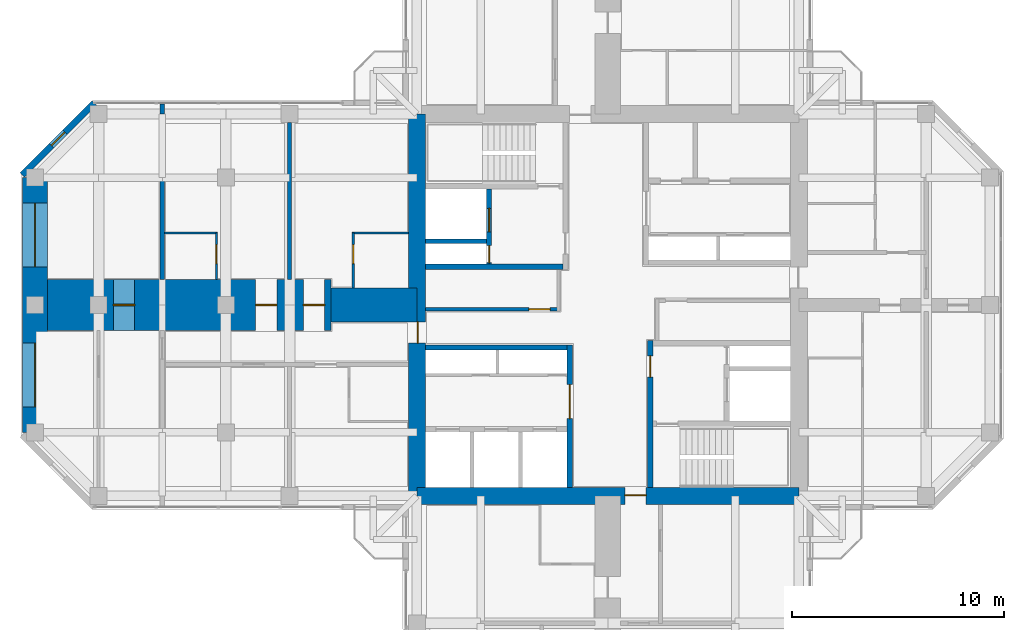
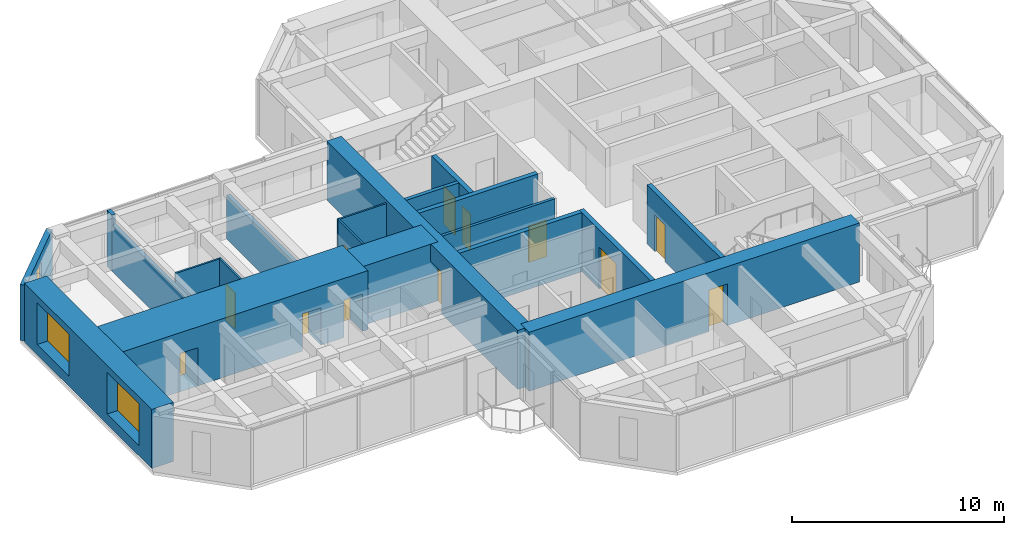
# One storey, part 9 of 13: 20 walls, 12 doors, 3 windows, 15 openings.
"""IFC4 building model written with IfcOpenShell, lengths in metres."""

import ifcopenshell
import ifcopenshell.guid

model = None  # the IFC model being written
_history = None  # IfcOwnerHistory: only IFC2X3 demands one
_inside = {}  # id of a spatial element -> (the spatial element, [elements in it])
_under = {}  # id of a project, library or spatial element -> (it, [spatial elements below it])
_declared = {}  # id of a project -> (the project, [libraries it declares])
_typed = {}  # id of a type object -> (the type object, [elements of that type])
_made_of = {}  # id of a material, layer set ... -> (it, [elements and type objects made of it])


def new_model(schema):
    """Start an empty IFC model of exactly this schema.

    Asked for "IFC4X3", IfcOpenShell would pick the latest addendum, in which some entities
    have other attributes; the version numbers below select the first issue.
    IFC2X3 requires an IfcOwnerHistory on every rooted entity: one is made here for all.
    """
    global model, _history
    if schema == "IFC4X3":
        model = ifcopenshell.file(schema_version=(4, 3, 0, 0))
    else:
        model = ifcopenshell.file(schema=schema)
    _inside.clear()
    _under.clear()
    _declared.clear()
    _typed.clear()
    _made_of.clear()
    _history = None
    if model.schema == "IFC2X3":
        org = make("IfcOrganization", Name="unknown")
        user = make(
            "IfcPersonAndOrganization",
            ThePerson=make("IfcPerson", FamilyName="unknown"),
            TheOrganization=org,
        )
        app = make(
            "IfcApplication",
            ApplicationDeveloper=org,
            Version="unknown",
            ApplicationFullName="unknown",
            ApplicationIdentifier="unknown",
        )
        _history = make(
            "IfcOwnerHistory",
            OwningUser=user,
            OwningApplication=app,
            ChangeAction="ADDED",
            CreationDate=0,
        )
    return model


def make(cls, **values):
    """One entity of the class cls with the attributes given. An attribute that is None is left unset."""
    return model.create_entity(
        cls, **{name: value for name, value in values.items() if value is not None}
    )


def rooted(cls, **values):
    """An entity with a GlobalId (a new one), such as an element, a storey or a relation."""
    return make(cls, GlobalId=ifcopenshell.guid.new(), OwnerHistory=_history, **values)


def si_unit(unit_type, name, prefix=None):
    """IfcSIUnit, for example si_unit("LENGTHUNIT", "METRE", prefix="MILLI")."""
    return make("IfcSIUnit", UnitType=unit_type, Prefix=prefix, Name=name)


def assignment(units):
    """IfcUnitAssignment: the units of a project."""
    return None if units is None else make("IfcUnitAssignment", Units=units)


def point(xyz):
    """IfcCartesianPoint."""
    return None if xyz is None else make("IfcCartesianPoint", Coordinates=xyz)


def direction(xyz):
    """IfcDirection."""
    return None if xyz is None else make("IfcDirection", DirectionRatios=xyz)


def frame(location, z_axis=None, x_axis=None):
    """IfcAxis2Placement3D, a coordinate frame: its origin and axes. An axis left out is left unset."""
    return make(
        "IfcAxis2Placement3D",
        Location=point(location),
        Axis=direction(z_axis),
        RefDirection=direction(x_axis),
    )


def frame_2d(location, x_axis=None):
    """IfcAxis2Placement2D, a coordinate frame in the plane: its origin and x axis."""
    return make(
        "IfcAxis2Placement2D", Location=point(location), RefDirection=direction(x_axis)
    )


def origin():
    """The frame at (0, 0, 0) with its axes left unset."""
    return frame((0.0, 0.0, 0.0))


def place(relative_to, where):
    """IfcLocalPlacement: puts the frame where relative to a parent placement (None: the world)."""
    return make(
        "IfcLocalPlacement", PlacementRelTo=relative_to, RelativePlacement=where
    )


def context(
    kind, dimensions, precision=None, world=None, true_north=None, identifier=None
):
    """IfcGeometricRepresentationContext, for example the 3D "Model" context."""
    return make(
        "IfcGeometricRepresentationContext",
        ContextIdentifier=identifier,
        ContextType=kind,
        CoordinateSpaceDimension=dimensions,
        Precision=precision,
        WorldCoordinateSystem=world,
        TrueNorth=true_north,
    )


def subcontext(parent, identifier, kind, view, scale=None):
    """IfcGeometricRepresentationSubContext, for example "Body" below "Model"."""
    return make(
        "IfcGeometricRepresentationSubContext",
        ContextIdentifier=identifier,
        ContextType=kind,
        ParentContext=parent,
        TargetScale=scale,
        TargetView=view,
    )


def project(units=None, contexts=None):
    """IfcProject with its units and contexts."""
    return rooted(
        "IfcProject",
        Name="project",
        RepresentationContexts=contexts,
        UnitsInContext=assignment(units),
    )


def spatial(cls, under=None, at=None, **own):
    """A site, building, storey or space (cls), placed at a placement, below another one or the project."""
    s = rooted(cls, ObjectPlacement=at, **own)
    if under is not None:
        _under.setdefault(under.id(), (under, []))[1].append(s)
    return s


def profile(cls, at=None, kind="AREA", **sizes):
    """A parametric profile (cls). Its sizes go by their IFC names, for example OverallWidth=200.0."""
    return make(cls, ProfileType=kind, Position=at, **sizes)


def rectangle(**sizes):
    """IfcRectangleProfileDef."""
    return profile("IfcRectangleProfileDef", **sizes)


def hollow_rectangle(**sizes):
    """IfcRectangleHollowProfileDef."""
    return profile("IfcRectangleHollowProfileDef", **sizes)


def extrude(swept, where, along, depth):
    """IfcExtrudedAreaSolid: the profile swept, set in the frame where, extruded along a direction by depth."""
    return make(
        "IfcExtrudedAreaSolid",
        SweptArea=swept,
        Position=where,
        ExtrudedDirection=direction(along),
        Depth=depth,
    )


def shape(context_of_items, identifier, shape_type, items):
    """IfcShapeRepresentation: the items that make up one representation, for example the "Body"."""
    return make(
        "IfcShapeRepresentation",
        ContextOfItems=context_of_items,
        RepresentationIdentifier=identifier,
        RepresentationType=shape_type,
        Items=items,
    )


def material(Name=None, Category=None):
    """IfcMaterial."""
    return make("IfcMaterial", Name=Name, Category=Category)


def layer(
    of_material, thickness, ventilated=None, Name=None, Category=None, Priority=None
):
    """IfcMaterialLayer: one layer of a wall or slab, of a material (None: an air gap)."""
    return make(
        "IfcMaterialLayer",
        Material=of_material,
        LayerThickness=thickness,
        IsVentilated=ventilated,
        Name=Name,
        Category=Category,
        Priority=Priority,
    )


def layer_set(layers, Name=None):
    """IfcMaterialLayerSet."""
    return make("IfcMaterialLayerSet", MaterialLayers=layers, LayerSetName=Name)


def constituent(of_material, Name=None, Category=None, fraction=None):
    """IfcMaterialConstituent: one of the materials an element consists of."""
    return make(
        "IfcMaterialConstituent",
        Name=Name,
        Material=of_material,
        Fraction=fraction,
        Category=Category,
    )


def constituent_set(constituents=None, Name=None):
    """IfcMaterialConstituentSet."""
    return make(
        "IfcMaterialConstituentSet", Name=Name, MaterialConstituents=constituents
    )


def made_of(thing, what):
    """Note that an element or type object is made of a material, layer set ...; save() writes the relation."""
    if what is not None:
        _made_of.setdefault(what.id(), (what, []))[1].append(thing)
    return thing


def type_object(cls, material=None, **own):
    """A type object (cls), such as IfcWallType, which elements share."""
    return made_of(rooted(cls, **own), material)


def element(
    cls,
    number,
    at=None,
    inside=None,
    cuts=None,
    type_object=None,
    material=None,
    context=None,
    identifier="Body",
    shape_type=None,
    held_by="IfcProductDefinitionShape",
    body=None,
    shapes=None,
    **own,
):
    """One element of the class cls, such as IfcWall. Its Tag is "e" and its number.

    at: its placement. inside: the storey or other place that contains it. cuts: it is an
    opening in that element (IfcRelVoidsElement). A single representation is given by context,
    identifier, shape_type and body (its items); several are given by shapes. held_by: the class
    of the entity that holds the representations. save() writes the other relations.
    """
    e = rooted(cls, Tag="e%d" % number, ObjectPlacement=at, **own)
    if body is not None:
        shapes = [shape(context, identifier, shape_type, body)]
    if shapes is not None:
        e.Representation = make(held_by, Representations=shapes)
    if inside is not None:
        _inside.setdefault(inside.id(), (inside, []))[1].append(e)
    if cuts is not None:
        rooted(
            "IfcRelVoidsElement", RelatingBuildingElement=cuts, RelatedOpeningElement=e
        )
    if type_object is not None:
        _typed.setdefault(type_object.id(), (type_object, []))[1].append(e)
    return made_of(e, material)


def fill(opening, filler):
    """IfcRelFillsElement: the door or window that sits in an opening."""
    return rooted(
        "IfcRelFillsElement",
        RelatingOpeningElement=opening,
        RelatedBuildingElement=filler,
    )


def aggregate(whole, parts):
    """IfcRelAggregates: a whole, such as a stair, and the parts it consists of."""
    return rooted("IfcRelAggregates", RelatingObject=whole, RelatedObjects=parts)


def save(model, path):
    """Write the relations noted so far, then the file.

    IfcRelAggregates (storeys below a building ...), IfcRelContainedInSpatialStructure (elements
    in a storey), IfcRelDefinesByType, IfcRelAssociatesMaterial and IfcRelDeclares: one each for
    every whole, place, type object, material and project.
    """
    for whole, parts in _under.values():
        aggregate(whole, parts)
    for where, things in _inside.values():
        rooted(
            "IfcRelContainedInSpatialStructure",
            RelatedElements=things,
            RelatingStructure=where,
        )
    for kind, things in _typed.values():
        rooted("IfcRelDefinesByType", RelatedObjects=things, RelatingType=kind)
    for what, things in _made_of.values():
        rooted("IfcRelAssociatesMaterial", RelatedObjects=things, RelatingMaterial=what)
    for by, libraries in _declared.values():
        rooted("IfcRelDeclares", RelatingContext=by, RelatedDefinitions=libraries)
    model.write(path)


model = new_model("IFC4")

# Units and contexts
model_context = context("Model", 3, precision=1e-05, world=origin(), true_north=direction((0.0, 1.0)))
body_context = subcontext(model_context, "Body", "Model", "MODEL_VIEW")
ifc_project = project(units=[si_unit("LENGTHUNIT", "METRE"), si_unit("AREAUNIT", "SQUARE_METRE"), si_unit("VOLUMEUNIT", "CUBIC_METRE"), si_unit("PLANEANGLEUNIT", "RADIAN"), si_unit("MASSUNIT", "GRAM", prefix="KILO")], contexts=[model_context])

# Site, building, storey
site_placement = place(None, origin())
site = spatial("IfcSite", under=ifc_project, at=site_placement, CompositionType="ELEMENT")
building_placement = place(site_placement, origin())
building = spatial("IfcBuilding", under=site, at=building_placement, Name="Torre Cruceta", CompositionType="ELEMENT")
storey_placement = place(building_placement, frame((0.0, 0.0, 242.5)))
storey = spatial("IfcBuildingStorey", under=building, at=storey_placement, Name="L62", CompositionType="ELEMENT", Elevation=242.5)

# Wall
ifc_material_1 = material(Name="Water-resistant plasterboard on steel studs", Category="steel")
ifc_layer_1 = layer(ifc_material_1, 0.10009765625)
ifc_layer_set_1 = layer_set([ifc_layer_1], Name="Water-resistant plasterboard on steel studs")
wall_type_1 = type_object("IfcWallType", Name="BATHROOM WALL 100", PredefinedType="PARTITIONING", material=ifc_layer_set_1)
wall_1_placement = place(storey_placement, frame((-9.39990234375, 3.39990234375, 0.0), z_axis=(0.0, 0.0, 1.0), x_axis=(-1.0, 0.0, 0.0)))
element("IfcWall", 1, at=wall_1_placement, inside=storey, type_object=wall_type_1, Name="PT4 L62-W-U1RBB", PredefinedType="PARTITIONING", context=body_context, shape_type="SweptSolid", body=[
    extrude(rectangle(XDim=2.650146484375, YDim=0.10009765625, at=frame_2d((1.3251953125, 0.0))), origin(), (0.0, 0.0, 1.0), 3.219970703125),
])

# Wall, opening, door
wall_2_placement = place(storey_placement, frame((-12.0, 3.39990234375, 0.0), z_axis=(0.0, 0.0, 1.0), x_axis=(0.0, -1.0, 0.0)))
wall_2 = element("IfcWall", 2, at=wall_2_placement, inside=storey, type_object=wall_type_1, Name="PT4 L62-W-U1RBS", PredefinedType="PARTITIONING", context=body_context, shape_type="SweptSolid", body=[
    extrude(rectangle(XDim=2.599853515625, YDim=0.10009765625, at=frame_2d((1.2998046875, 0.0))), origin(), (0.0, 0.0, 1.0), 3.219970703125),
])
opening_1_placement = place(wall_2_placement, frame((0.550048828125, 0.0, 0.0)))
opening_1 = element("IfcOpeningElement", 3, at=opening_1_placement, cuts=wall_2, Name="Opening D7", PredefinedType="OPENING", context=body_context, shape_type="SweptSolid", body=[
    extrude(rectangle(XDim=0.89990234375, YDim=2.10009765625, at=frame_2d((0.449951171875, 1.050048828125))), frame((0.0, 0.06005859375, 0.0), z_axis=(0.0, -1.0, 0.0), x_axis=(1.0, 0.0, 0.0)), (0.0, 0.0, 1.0), 0.1201171875),
])
ifc_material_2 = material(Name="Timber door", Category="wood")
door_type_1 = type_object("IfcDoorType", Name="BATHROOM DOOR 900X2100", OperationType="SINGLE_SWING_LEFT", PredefinedType="DOOR", material=ifc_material_2)
door_1_placement = place(opening_1_placement, origin())
door_1 = element("IfcDoor", 4, at=door_1_placement, inside=storey, type_object=door_type_1, Name="D7 L62-W-U1RBS-D1", OperationType="SINGLE_SWING_LEFT", OverallHeight=2.10009765625, OverallWidth=0.89990234375, PredefinedType="DOOR", context=body_context, shape_type="SweptSolid", body=[
    extrude(rectangle(XDim=0.89990234375, YDim=2.10009765625, at=frame_2d((0.449951171875, 1.050048828125))), frame((0.0, 0.02490234375, 0.0), z_axis=(0.0, -1.0, 0.0), x_axis=(1.0, 0.0, 0.0)), (0.0, 0.0, 1.0), 0.050048828125),
])
fill(opening_1, door_1)

# Wall
wall_3_placement = place(storey_placement, frame((-18.39990234375, 3.39990234375, 0.0), z_axis=(0.0, 0.0, 1.0), x_axis=(-1.0, 0.0, 0.0)))
element("IfcWall", 5, at=wall_3_placement, inside=storey, type_object=wall_type_1, Name="PT4 L62-W-U2RBB", PredefinedType="PARTITIONING", context=body_context, shape_type="SweptSolid", body=[
    extrude(rectangle(XDim=2.5, YDim=0.10009765625, at=frame_2d((1.25, 0.0))), origin(), (0.0, 0.0, 1.0), 3.219970703125),
])

# Wall, opening, door
wall_4_placement = place(storey_placement, frame((-18.449951171875, 3.39990234375, 0.0), z_axis=(0.0, 0.0, 1.0), x_axis=(0.0, -1.0, 0.0)))
wall_4 = element("IfcWall", 6, at=wall_4_placement, inside=storey, type_object=wall_type_1, Name="PT4 L62-W-U2RBS", PredefinedType="PARTITIONING", context=body_context, shape_type="SweptSolid", body=[
    extrude(rectangle(XDim=2.199951171875, YDim=0.10009765625, at=frame_2d((1.10009765625, 0.0))), origin(), (0.0, 0.0, 1.0), 3.219970703125),
])
opening_2_placement = place(wall_4_placement, frame((0.550048828125, 0.0, 0.0)))
opening_2 = element("IfcOpeningElement", 7, at=opening_2_placement, cuts=wall_4, Name="Opening D7", PredefinedType="OPENING", context=body_context, shape_type="SweptSolid", body=[
    extrude(rectangle(XDim=0.89990234375, YDim=2.10009765625, at=frame_2d((0.449951171875, 1.050048828125))), frame((0.0, 0.06005859375, 0.0), z_axis=(0.0, -1.0, 0.0), x_axis=(1.0, 0.0, 0.0)), (0.0, 0.0, 1.0), 0.1201171875),
])
door_2_placement = place(opening_2_placement, frame((0.89990234375, 0.0, 0.0), z_axis=(0.0, 0.0, 1.0), x_axis=(-1.0, 0.0, 0.0)))
door_2 = element("IfcDoor", 8, at=door_2_placement, inside=storey, type_object=door_type_1, Name="D7 L62-W-U2RBS-D1", OperationType="SINGLE_SWING_RIGHT", OverallHeight=2.10009765625, OverallWidth=0.89990234375, PredefinedType="DOOR", context=body_context, shape_type="SweptSolid", body=[
    extrude(rectangle(XDim=0.89990234375, YDim=2.10009765625, at=frame_2d((0.449951171875, 1.050048828125))), frame((0.0, 0.025146484375, 0.0), z_axis=(0.0, -1.0, 0.0), x_axis=(1.0, 0.0, 0.0)), (0.0, 0.0, 1.0), 0.050048828125),
])
fill(opening_2, door_2)

# Wall
ifc_material_3 = material(Name="Concrete G60 (fck 60 MPa)", Category="concrete")
ifc_layer_2 = layer(ifc_material_3, 0.25)
ifc_layer_set_2 = layer_set([ifc_layer_2], Name="Concrete G60 (fck 60 MPa)")
wall_type_2 = type_object("IfcWallType", Name="CORE INNER WALL 250 G60", PredefinedType="SHEAR", material=ifc_layer_set_2)
wall_5_placement = place(storey_placement, frame((-2.125, 1.800048828125, 0.0), z_axis=(0.0, 0.0, 1.0), x_axis=(-1.0, 0.0, 0.0)))
element("IfcWall", 9, at=wall_5_placement, inside=storey, type_object=wall_type_2, Name="CW4 L62 NW-CV", PredefinedType="SHEAR", context=body_context, shape_type="SweptSolid", body=[
    extrude(rectangle(XDim=6.47509765625, YDim=0.25, at=frame_2d((3.237548828125, 0.0))), origin(), (0.0, 0.0, 1.0), 3.39990234375),
])

# Wall, openings, doors
wall_6_placement = place(storey_placement, frame((-5.60009765625, 1.925048828125, 0.0), z_axis=(0.0, 0.0, 1.0), x_axis=(0.0, 1.0, 0.0)))
wall_6 = element("IfcWall", 10, at=wall_6_placement, inside=storey, type_object=wall_type_2, Name="CW4 L62 NW-FU", PredefinedType="SHEAR", context=body_context, shape_type="SweptSolid", body=[
    extrude(rectangle(XDim=3.550048828125, YDim=0.25, at=frame_2d((1.77490234375, 0.0))), origin(), (0.0, 0.0, 1.0), 3.39990234375),
])
opening_3_placement = place(wall_6_placement, frame((1.52490234375, 0.0, 0.0)))
opening_3 = element("IfcOpeningElement", 11, at=opening_3_placement, cuts=wall_6, Name="Opening LD1", PredefinedType="OPENING", context=body_context, shape_type="SweptSolid", body=[
    extrude(rectangle(XDim=1.10009765625, YDim=2.199951171875, at=frame_2d((0.550048828125, 1.10009765625))), frame((0.0, 0.135009765625, 0.0), z_axis=(0.0, -1.0, 0.0), x_axis=(1.0, 0.0, 0.0)), (0.0, 0.0, 1.0), 0.27001953125),
])
opening_4_placement = place(wall_6_placement, frame((0.074951171875, 0.0, 0.0)))
opening_4 = element("IfcOpeningElement", 12, at=opening_4_placement, cuts=wall_6, Name="Opening D5", PredefinedType="OPENING", context=body_context, shape_type="SweptSolid", body=[
    extrude(rectangle(XDim=0.800048828125, YDim=2.10009765625, at=frame_2d((0.39990234375, 1.050048828125))), frame((0.0, 0.135009765625, 0.0), z_axis=(0.0, -1.0, 0.0), x_axis=(1.0, 0.0, 0.0)), (0.0, 0.0, 1.0), 0.27001953125),
])
ifc_material_4 = material(Name="Stainless steel 1.4401", Category="steel")
door_type_2 = type_object("IfcDoorType", Name="LIFT LANDING DOOR 1100X2200", OperationType="DOUBLE_DOOR_SLIDING", PredefinedType="DOOR", material=ifc_material_4)
door_3_placement = place(opening_3_placement, origin())
door_3 = element("IfcDoor", 13, at=door_3_placement, inside=storey, type_object=door_type_2, Name="Lift landing door FL1", OperationType="DOUBLE_DOOR_SLIDING", OverallHeight=2.199951171875, OverallWidth=1.10009765625, PredefinedType="DOOR", context=body_context, shape_type="SweptSolid", body=[
    extrude(rectangle(XDim=1.10009765625, YDim=2.199951171875, at=frame_2d((0.550048828125, 1.10009765625))), frame((0.0, 0.02490234375, 0.0), z_axis=(0.0, -1.0, 0.0), x_axis=(1.0, 0.0, 0.0)), (0.0, 0.0, 1.0), 0.050048828125),
])
fill(opening_3, door_3)
ifc_material_5 = material(Name="Steel DX51D", Category="steel")
ifc_constituent_1 = constituent(ifc_material_5, Name="Leaf and frame")
ifc_material_6 = material(Name="Polyester powder coating", Category="paint")
ifc_constituent_2 = constituent(ifc_material_6, Name="Finish")
ifc_constituent_set_1 = constituent_set(constituents=[ifc_constituent_1, ifc_constituent_2], Name="Steel fire door")
door_type_3 = type_object("IfcDoorType", Name="RISER ACCESS DOOR 800X2100", OperationType="SINGLE_SWING_LEFT", PredefinedType="DOOR", material=ifc_constituent_set_1)
door_4_placement = place(opening_4_placement, origin())
door_4 = element("IfcDoor", 14, at=door_4_placement, inside=storey, type_object=door_type_3, Name="D5 L62 NW-RISER", OperationType="SINGLE_SWING_LEFT", OverallHeight=2.10009765625, OverallWidth=0.800048828125, PredefinedType="DOOR", context=body_context, shape_type="SweptSolid", body=[
    extrude(rectangle(XDim=0.800048828125, YDim=2.10009765625, at=frame_2d((0.39990234375, 1.050048828125))), frame((0.0, 0.02490234375, 0.0), z_axis=(0.0, -1.0, 0.0), x_axis=(1.0, 0.0, 0.0)), (0.0, 0.0, 1.0), 0.050048828125),
])
fill(opening_4, door_4)

# Wall, opening, door
wall_7_placement = place(storey_placement, frame((-1.800048828125, -1.875, 0.0), z_axis=(0.0, 0.0, 1.0), x_axis=(0.0, -1.0, 0.0)))
wall_7 = element("IfcWall", 15, at=wall_7_placement, inside=storey, type_object=wall_type_2, Name="CW4 L62 SW-CU", PredefinedType="SHEAR", context=body_context, shape_type="SweptSolid", body=[
    extrude(rectangle(XDim=6.72509765625, YDim=0.25, at=frame_2d((3.362548828125, 0.0))), origin(), (0.0, 0.0, 1.0), 3.39990234375),
])
opening_5_placement = place(wall_7_placement, frame((1.875, 0.0, 0.0)))
opening_5 = element("IfcOpeningElement", 16, at=opening_5_placement, cuts=wall_7, Name="Opening D8", PredefinedType="OPENING", context=body_context, shape_type="SweptSolid", body=[
    extrude(rectangle(XDim=1.60009765625, YDim=2.39990234375, at=frame_2d((0.800048828125, 1.199951171875))), frame((0.0, 0.135009765625, 0.0), z_axis=(0.0, -1.0, 0.0), x_axis=(1.0, 0.0, 0.0)), (0.0, 0.0, 1.0), 0.27001953125),
])
ifc_material_7 = material(Name="Steel DX51D", Category="steel")
ifc_constituent_3 = constituent(ifc_material_7, Name="Leaf and frame")
ifc_material_8 = material(Name="Polyester powder coating", Category="paint")
ifc_constituent_4 = constituent(ifc_material_8, Name="Finish")
ifc_material_9 = material(Name="Fire-resisting glass", Category="glass")
ifc_constituent_5 = constituent(ifc_material_9, Name="Vision panel")
ifc_constituent_set_2 = constituent_set(constituents=[ifc_constituent_3, ifc_constituent_4, ifc_constituent_5], Name="Steel fire door with vision panels")
door_type_4 = type_object("IfcDoorType", Name="LIFT LOBBY DOUBLE DOOR 1600X2400", OperationType="DOUBLE_DOOR_DOUBLE_SWING", PredefinedType="DOOR", material=ifc_constituent_set_2)
door_5_placement = place(opening_5_placement, origin())
door_5 = element("IfcDoor", 17, at=door_5_placement, inside=storey, type_object=door_type_4, Name="D8 L62 SW-LOBBY", OperationType="DOUBLE_DOOR_DOUBLE_SWING", OverallHeight=2.39990234375, OverallWidth=1.60009765625, PredefinedType="DOOR", context=body_context, shape_type="SweptSolid", body=[
    extrude(rectangle(XDim=1.60009765625, YDim=2.39990234375, at=frame_2d((0.800048828125, 1.199951171875))), frame((0.0, 0.02490234375, 0.0), z_axis=(0.0, -1.0, 0.0), x_axis=(1.0, 0.0, 0.0)), (0.0, 0.0, 1.0), 0.050048828125),
])
fill(opening_5, door_5)

# Wall
wall_8_placement = place(storey_placement, frame((-1.925048828125, -2.0, 0.0), z_axis=(0.0, 0.0, 1.0), x_axis=(-1.0, 0.0, 0.0)))
element("IfcWall", 18, at=wall_8_placement, inside=storey, type_object=wall_type_2, Name="CW4 L62 SW-CV", PredefinedType="SHEAR", context=body_context, shape_type="SweptSolid", body=[
    extrude(rectangle(XDim=6.675048828125, YDim=0.25, at=frame_2d((3.33740234375, 0.0))), origin(), (0.0, 0.0, 1.0), 3.39990234375),
])

# Wall, opening, door
wall_9_placement = place(storey_placement, frame((2.0, -1.675048828125, 0.0), z_axis=(0.0, 0.0, 1.0), x_axis=(0.0, -1.0, 0.0)))
wall_9 = element("IfcWall", 19, at=wall_9_placement, inside=storey, type_object=wall_type_2, Name="CW4 L62 SE-CU", PredefinedType="SHEAR", context=body_context, shape_type="SweptSolid", body=[
    extrude(rectangle(XDim=6.925048828125, YDim=0.25, at=frame_2d((3.46240234375, 0.0))), origin(), (0.0, 0.0, 1.0), 3.39990234375),
])
opening_6_placement = place(wall_9_placement, frame((0.72509765625, 0.0, 0.0)))
opening_6 = element("IfcOpeningElement", 20, at=opening_6_placement, cuts=wall_9, Name="Opening D3", PredefinedType="OPENING", context=body_context, shape_type="SweptSolid", body=[
    extrude(rectangle(XDim=1.0, YDim=2.10009765625, at=frame_2d((0.5, 1.050048828125))), frame((0.0, 0.135009765625, 0.0), z_axis=(0.0, -1.0, 0.0), x_axis=(1.0, 0.0, 0.0)), (0.0, 0.0, 1.0), 0.27001953125),
])
ifc_material_10 = material(Name="Steel DX51D", Category="steel")
ifc_constituent_6 = constituent(ifc_material_10, Name="Leaf and frame")
ifc_material_11 = material(Name="Polyester powder coating", Category="paint")
ifc_constituent_7 = constituent(ifc_material_11, Name="Finish")
ifc_constituent_set_3 = constituent_set(constituents=[ifc_constituent_6, ifc_constituent_7], Name="Steel fire door")
door_type_5 = type_object("IfcDoorType", Name="FIRE DOOR 1000X2100", OperationType="SINGLE_SWING_LEFT", PredefinedType="DOOR", material=ifc_constituent_set_3)
door_6_placement = place(opening_6_placement, origin())
door_6 = element("IfcDoor", 21, at=door_6_placement, inside=storey, type_object=door_type_5, Name="D3 L62 SE-LOBBY", OperationType="SINGLE_SWING_LEFT", OverallHeight=2.10009765625, OverallWidth=1.0, PredefinedType="DOOR", context=body_context, shape_type="SweptSolid", body=[
    extrude(rectangle(XDim=1.0, YDim=2.10009765625, at=frame_2d((0.5, 1.050048828125))), frame((0.0, 0.02490234375, 0.0), z_axis=(0.0, -1.0, 0.0), x_axis=(1.0, 0.0, 0.0)), (0.0, 0.0, 1.0), 0.050048828125),
])
fill(opening_6, door_6)

ifc_material_12 = material(Name="Concrete G60 (fck 60 MPa)", Category="concrete")
ifc_layer_3 = layer(ifc_material_12, 0.800048828125)
ifc_layer_set_3 = layer_set([ifc_layer_3], Name="Concrete G60 (fck 60 MPa)")
wall_type_3 = type_object("IfcWallType", Name="CORE WALL 800 G60", PredefinedType="SHEAR", material=ifc_layer_set_3)
wall_10_placement = place(storey_placement, frame((-9.0, -9.0, 0.0), z_axis=(0.0, 0.0, 1.0), x_axis=(1.0, 0.0, 0.0)))
wall_10 = element("IfcWall", 22, at=wall_10_placement, inside=storey, type_object=wall_type_3, Name="CW3 L62 CW-S", PredefinedType="SHEAR", context=body_context, shape_type="SweptSolid", body=[
    extrude(rectangle(XDim=18.0, YDim=0.800048828125, at=frame_2d((9.0, 0.0))), origin(), (0.0, 0.0, 1.0), 3.39990234375),
])
opening_7_placement = place(wall_10_placement, frame((9.800048828125, 0.0, 0.0)))
opening_7 = element("IfcOpeningElement", 23, at=opening_7_placement, cuts=wall_10, Name="Opening D4", PredefinedType="OPENING", context=body_context, shape_type="SweptSolid", body=[
    extrude(rectangle(XDim=1.0, YDim=2.39990234375, at=frame_2d((0.5, 1.199951171875))), frame((0.0, 0.409912109375, 0.0), z_axis=(0.0, -1.0, 0.0), x_axis=(1.0, 0.0, 0.0)), (0.0, 0.0, 1.0), 0.820068359375),
])
ifc_material_13 = material(Name="Steel DX51D", Category="steel")
ifc_constituent_8 = constituent(ifc_material_13, Name="Leaf and frame")
ifc_material_14 = material(Name="Polyester powder coating", Category="paint")
ifc_constituent_9 = constituent(ifc_material_14, Name="Finish")
ifc_constituent_set_4 = constituent_set(constituents=[ifc_constituent_8, ifc_constituent_9], Name="Steel fire door")
door_type_6 = type_object("IfcDoorType", Name="CORE ARM DOOR 1000X2400", OperationType="SINGLE_SWING_RIGHT", PredefinedType="DOOR", material=ifc_constituent_set_4)
door_7_placement = place(opening_7_placement, origin())
door_7 = element("IfcDoor", 24, at=door_7_placement, inside=storey, type_object=door_type_6, Name="D4 L62 CW-S", OperationType="SINGLE_SWING_RIGHT", OverallHeight=2.39990234375, OverallWidth=1.0, PredefinedType="DOOR", context=body_context, shape_type="SweptSolid", body=[
    extrude(rectangle(XDim=1.0, YDim=2.39990234375, at=frame_2d((0.5, 1.199951171875))), frame((0.0, 0.05517578125, 0.0), z_axis=(0.0, -1.0, 0.0), x_axis=(1.0, 0.0, 0.0)), (0.0, 0.0, 1.0), 0.050048828125),
])
fill(opening_7, door_7)

wall_11_placement = place(storey_placement, frame((-9.0, 9.0, 0.0), z_axis=(0.0, 0.0, 1.0), x_axis=(0.0, -1.0, 0.0)))
wall_11 = element("IfcWall", 25, at=wall_11_placement, inside=storey, type_object=wall_type_3, Name="CW3 L62 CW-W", PredefinedType="SHEAR", context=body_context, shape_type="SweptSolid", body=[
    extrude(rectangle(XDim=18.0, YDim=0.800048828125, at=frame_2d((9.0, 0.0))), origin(), (0.0, 0.0, 1.0), 3.39990234375),
])
opening_8_placement = place(wall_11_placement, frame((9.800048828125, 0.0, 0.0)))
opening_8 = element("IfcOpeningElement", 26, at=opening_8_placement, cuts=wall_11, Name="Opening D4", PredefinedType="OPENING", context=body_context, shape_type="SweptSolid", body=[
    extrude(rectangle(XDim=1.0, YDim=2.39990234375, at=frame_2d((0.5, 1.199951171875))), frame((0.0, 0.409912109375, 0.0), z_axis=(0.0, -1.0, 0.0), x_axis=(1.0, 0.0, 0.0)), (0.0, 0.0, 1.0), 0.820068359375),
])
door_8_placement = place(opening_8_placement, origin())
door_8 = element("IfcDoor", 27, at=door_8_placement, inside=storey, type_object=door_type_6, Name="D4 L62 CW-W", OperationType="SINGLE_SWING_RIGHT", OverallHeight=2.39990234375, OverallWidth=1.0, PredefinedType="DOOR", context=body_context, shape_type="SweptSolid", body=[
    extrude(rectangle(XDim=1.0, YDim=2.39990234375, at=frame_2d((0.5, 1.199951171875))), frame((0.0, 0.05517578125, 0.0), z_axis=(0.0, -1.0, 0.0), x_axis=(1.0, 0.0, 0.0)), (0.0, 0.0, 1.0), 0.050048828125),
])
fill(opening_8, door_8)

# Wall, opening, window
ifc_material_15 = material(Name="Concrete G30 (fck 30 MPa)", Category="concrete")
ifc_layer_4 = layer(ifc_material_15, 0.300048828125)
ifc_layer_set_4 = layer_set([ifc_layer_4], Name="Concrete G30 (fck 30 MPa)")
wall_type_4 = type_object("IfcWallType", Name="EXPOSED CONCRETE FACADE WALL 300", PredefinedType="SOLIDWALL", material=ifc_layer_set_4)
wall_12_placement = place(storey_placement, frame((-24.21533203125, 9.52001953125, 0.0), z_axis=(0.0, 0.0, 1.0), x_axis=(-0.707132283189, -0.707081278264, 0.0)))
wall_12 = element("IfcWall", 28, at=wall_12_placement, inside=storey, type_object=wall_type_4, Name="EW1 facade wall L62 W chamfer 11", PredefinedType="SOLIDWALL", context=body_context, shape_type="SweptSolid", body=[
    extrude(rectangle(XDim=4.78662109375, YDim=0.300048828125, at=frame_2d((2.393310546875, 0.0))), origin(), (0.0, 0.0, 1.0), 3.219970703125),
])
opening_9_placement = place(wall_12_placement, frame((1.943359375, 0.0, 0.300048828125)))
opening_9 = element("IfcOpeningElement", 29, at=opening_9_placement, cuts=wall_12, Name="Opening WN5", PredefinedType="OPENING", context=body_context, shape_type="SweptSolid", body=[
    extrude(rectangle(XDim=0.89990234375, YDim=2.39990234375, at=frame_2d((0.449951171875, 1.199951171875))), frame((0.0, 0.159912109375, 0.0), z_axis=(0.0, -1.0, 0.0), x_axis=(1.0, 0.0, 0.0)), (0.0, 0.0, 1.0), 0.320068359375),
])
ifc_material_16 = material(Name="Aluminium window frame", Category="aluminium")
ifc_constituent_10 = constituent(ifc_material_16, Name="Frame")
ifc_material_17 = material(Name="Laminated insulating glass unit, low-iron clear", Category="glass")
ifc_constituent_11 = constituent(ifc_material_17, Name="Glazing")
ifc_constituent_set_5 = constituent_set(constituents=[ifc_constituent_10, ifc_constituent_11], Name="Aluminium window")
window_type_1 = type_object("IfcWindowType", Name="CHAMFER SLOT WINDOW 900X2400", PartitioningType="SINGLE_PANEL", PredefinedType="WINDOW", material=ifc_constituent_set_5)
window_1_placement = place(opening_9_placement, origin())
window_1 = element("IfcWindow", 30, at=window_1_placement, inside=storey, type_object=window_type_1, Name="WN5 L62 W 1", OverallHeight=2.39990234375, OverallWidth=0.89990234375, PartitioningType="SINGLE_PANEL", PredefinedType="WINDOW", context=body_context, shape_type="SweptSolid", body=[
    extrude(hollow_rectangle(XDim=0.89990234375, YDim=2.39990234375, WallThickness=0.06005859375, at=frame_2d((0.449951171875, 1.199951171875))), frame((0.0, 0.030029296875, 0.0), z_axis=(0.0, -1.0, 0.0), x_axis=(1.0, 0.0, 0.0)), (0.0, 0.0, 1.0), 0.06005859375),
    extrude(rectangle(XDim=0.77880859375, YDim=2.27880859375, at=frame_2d((0.449951171875, 1.199951171875))), frame((0.0, 0.030029296875, 0.0), z_axis=(0.0, -1.0, 0.0), x_axis=(1.0, 0.0, 0.0)), (0.0, 0.0, 1.0), 0.06005859375),
])
fill(opening_9, window_1)

# Wall
ifc_material_18 = material(Name="Concrete G35 (fck 35 MPa)", Category="concrete")
ifc_layer_5 = layer(ifc_material_18, 0.199951171875)
ifc_layer_set_5 = layer_set([ifc_layer_5], Name="Concrete G35 (fck 35 MPa)")
wall_type_5 = type_object("IfcWallType", Name="LIFT SHAFT WALL 200", PredefinedType="PARTITIONING", material=ifc_layer_set_5)
wall_13_placement = place(storey_placement, frame((-5.72509765625, 3.0, 0.0), z_axis=(0.0, 0.0, 1.0), x_axis=(-1.0, 0.0, 0.0)))
element("IfcWall", 31, at=wall_13_placement, inside=storey, type_object=wall_type_5, Name="SW1 L62 NW-FR", PredefinedType="PARTITIONING", context=body_context, shape_type="SweptSolid", body=[
    extrude(rectangle(XDim=2.875, YDim=0.199951171875, at=frame_2d((1.4375, 0.0))), origin(), (0.0, 0.0, 1.0), 3.39990234375),
])

# Wall, openings, windows
ifc_material_19 = material(Name="Concrete G60 (fck 60 MPa)", Category="concrete")
ifc_layer_6 = layer(ifc_material_19, 1.199951171875)
ifc_layer_set_6 = layer_set([ifc_layer_6], Name="Concrete G60 (fck 60 MPa)")
wall_type_6 = type_object("IfcWallType", Name="NOSE WALL 1200 G60", PredefinedType="SHEAR", material=ifc_layer_set_6)
wall_14_placement = place(storey_placement, frame((-27.0, 6.0, 0.0), z_axis=(0.0, 0.0, 1.0), x_axis=(0.0, -1.0, 0.0)))
wall_14 = element("IfcWall", 32, at=wall_14_placement, inside=storey, type_object=wall_type_6, Name="NW1 nose wall L62 W", PredefinedType="SHEAR", context=body_context, shape_type="SweptSolid", body=[
    extrude(rectangle(XDim=12.0, YDim=1.199951171875, at=frame_2d((6.0, 0.0))), origin(), (0.0, 0.0, 1.0), 3.39990234375),
])
opening_10_placement = place(wall_14_placement, frame((1.199951171875, 0.0, 0.60009765625)))
opening_10 = element("IfcOpeningElement", 33, at=opening_10_placement, cuts=wall_14, Name="Opening WN6", PredefinedType="OPENING", context=body_context, shape_type="SweptSolid", body=[
    extrude(rectangle(XDim=3.0, YDim=2.39990234375, at=frame_2d((1.5, 1.199951171875))), frame((0.0, 0.60986328125, 0.0), z_axis=(0.0, -1.0, 0.0), x_axis=(1.0, 0.0, 0.0)), (0.0, 0.0, 1.0), 1.219970703125),
])
opening_11_placement = place(wall_14_placement, frame((7.800048828125, 0.0, 0.60009765625)))
opening_11 = element("IfcOpeningElement", 34, at=opening_11_placement, cuts=wall_14, Name="Opening WN6", PredefinedType="OPENING", context=body_context, shape_type="SweptSolid", body=[
    extrude(rectangle(XDim=3.0, YDim=2.39990234375, at=frame_2d((1.5, 1.199951171875))), frame((0.0, 0.60986328125, 0.0), z_axis=(0.0, -1.0, 0.0), x_axis=(1.0, 0.0, 0.0)), (0.0, 0.0, 1.0), 1.219970703125),
])
ifc_material_20 = material(Name="Aluminium window frame", Category="aluminium")
ifc_constituent_12 = constituent(ifc_material_20, Name="Frame")
ifc_material_21 = material(Name="Laminated insulating glass unit, low-iron clear", Category="glass")
ifc_constituent_13 = constituent(ifc_material_21, Name="Glazing")
ifc_constituent_set_6 = constituent_set(constituents=[ifc_constituent_12, ifc_constituent_13], Name="Aluminium window")
window_type_2 = type_object("IfcWindowType", Name="NOSE WALL WINDOW 3000X2400", PartitioningType="SINGLE_PANEL", PredefinedType="WINDOW", material=ifc_constituent_set_6)
window_2_placement = place(opening_10_placement, origin())
window_2 = element("IfcWindow", 35, at=window_2_placement, inside=storey, type_object=window_type_2, Name="WN6 L62 W 1", OverallHeight=2.39990234375, OverallWidth=3.0, PartitioningType="SINGLE_PANEL", PredefinedType="WINDOW", context=body_context, shape_type="SweptSolid", body=[
    extrude(hollow_rectangle(XDim=3.0, YDim=2.39990234375, WallThickness=0.06005859375, at=frame_2d((1.5, 1.199951171875))), frame((0.0, 0.030029296875, 0.0), z_axis=(0.0, -1.0, 0.0), x_axis=(1.0, 0.0, 0.0)), (0.0, 0.0, 1.0), 0.06005859375),
    extrude(rectangle(XDim=2.87890625, YDim=2.27880859375, at=frame_2d((1.5, 1.199951171875))), frame((0.0, 0.030029296875, 0.0), z_axis=(0.0, -1.0, 0.0), x_axis=(1.0, 0.0, 0.0)), (0.0, 0.0, 1.0), 0.06005859375),
])
fill(opening_10, window_2)
window_3_placement = place(opening_11_placement, origin())
window_3 = element("IfcWindow", 36, at=window_3_placement, inside=storey, type_object=window_type_2, Name="WN6 L62 W 2", OverallHeight=2.39990234375, OverallWidth=3.0, PartitioningType="SINGLE_PANEL", PredefinedType="WINDOW", context=body_context, shape_type="SweptSolid", body=[
    extrude(hollow_rectangle(XDim=3.0, YDim=2.39990234375, WallThickness=0.06005859375, at=frame_2d((1.5, 1.199951171875))), frame((0.0, 0.030029296875, 0.0), z_axis=(0.0, -1.0, 0.0), x_axis=(1.0, 0.0, 0.0)), (0.0, 0.0, 1.0), 0.06005859375),
    extrude(rectangle(XDim=2.87890625, YDim=2.27880859375, at=frame_2d((1.5, 1.199951171875))), frame((0.0, 0.030029296875, 0.0), z_axis=(0.0, -1.0, 0.0), x_axis=(1.0, 0.0, 0.0)), (0.0, 0.0, 1.0), 0.06005859375),
])
fill(opening_11, window_3)

# Wall, opening, door
ifc_material_22 = material(Name="Plasterboard on steel studs", Category="steel")
ifc_layer_7 = layer(ifc_material_22, 0.14990234375)
ifc_layer_set_7 = layer_set([ifc_layer_7], Name="Plasterboard on steel studs")
wall_type_7 = type_object("IfcWallType", Name="PARTITION 150", PredefinedType="PARTITIONING", material=ifc_layer_set_7)
wall_15_placement = place(storey_placement, frame((-2.324951171875, -0.199951171875, 0.0), z_axis=(0.0, 0.0, 1.0), x_axis=(-1.0, 0.0, 0.0)))
wall_15 = element("IfcWall", 37, at=wall_15_placement, inside=storey, type_object=wall_type_7, Name="PT1 L62-CORE-LEGW-N-W1", PredefinedType="PARTITIONING", context=body_context, shape_type="SweptSolid", body=[
    extrude(rectangle(XDim=6.275146484375, YDim=0.14990234375, at=frame_2d((3.1376953125, 0.0))), origin(), (0.0, 0.0, 1.0), 3.219970703125),
])
opening_12_placement = place(wall_15_placement, frame((0.39990234375, 0.0, 0.0)))
opening_12 = element("IfcOpeningElement", 38, at=opening_12_placement, cuts=wall_15, Name="Opening D3", PredefinedType="OPENING", context=body_context, shape_type="SweptSolid", body=[
    extrude(rectangle(XDim=1.0, YDim=2.10009765625, at=frame_2d((0.5, 1.050048828125))), frame((0.0, 0.0849609375, 0.0), z_axis=(0.0, -1.0, 0.0), x_axis=(1.0, 0.0, 0.0)), (0.0, 0.0, 1.0), 0.169921875),
])
door_9_placement = place(opening_12_placement, frame((1.0, 0.0, 0.0), z_axis=(0.0, 0.0, 1.0), x_axis=(-1.0, 0.0, 0.0)))
door_9 = element("IfcDoor", 39, at=door_9_placement, inside=storey, type_object=door_type_5, Name="D3 L62-CORE-LEGW-N-W1-D1", OperationType="SINGLE_SWING_RIGHT", OverallHeight=2.10009765625, OverallWidth=1.0, PredefinedType="DOOR", context=body_context, shape_type="SweptSolid", body=[
    extrude(rectangle(XDim=1.0, YDim=2.10009765625, at=frame_2d((0.5, 1.050048828125))), frame((0.0, 0.025146484375, 0.0), z_axis=(0.0, -1.0, 0.0), x_axis=(1.0, 0.0, 0.0)), (0.0, 0.0, 1.0), 0.050048828125),
])
fill(opening_12, door_9)

# Wall
ifc_material_23 = material(Name="Concrete G60 (fck 60 MPa)", Category="concrete")
ifc_layer_8 = layer(ifc_material_23, 1.60009765625)
ifc_layer_set_8 = layer_set([ifc_layer_8], Name="Concrete G60 (fck 60 MPa)")
wall_type_8 = type_object("IfcWallType", Name="SPINE WALL 1600 G60", PredefinedType="SHEAR", material=ifc_layer_set_8)
wall_16_placement = place(storey_placement, frame((-9.0, 0.0, 0.0), z_axis=(0.0, 0.0, 1.0), x_axis=(-1.0, 0.0, 0.0)))
element("IfcWall", 40, at=wall_16_placement, inside=storey, type_object=wall_type_8, Name="SW2 spine wall root L62 W", PredefinedType="SHEAR", context=body_context, shape_type="SweptSolid", body=[
    extrude(rectangle(XDim=4.050048828125, YDim=1.60009765625, at=frame_2d((2.02490234375, 0.0))), origin(), (0.0, 0.0, 1.0), 3.39990234375),
])

# Wall, openings, doors
ifc_material_24 = material(Name="Concrete G60 (fck 60 MPa)", Category="concrete")
ifc_layer_9 = layer(ifc_material_24, 2.39990234375)
ifc_layer_set_9 = layer_set([ifc_layer_9], Name="Concrete G60 (fck 60 MPa)")
wall_type_9 = type_object("IfcWallType", Name="SPINE WALL 2400 G60", PredefinedType="SHEAR", material=ifc_layer_set_9)
wall_17_placement = place(storey_placement, frame((-13.050048828125, 0.0, 0.0), z_axis=(0.0, 0.0, 1.0), x_axis=(-1.0, 0.0, 0.0)))
wall_17 = element("IfcWall", 41, at=wall_17_placement, inside=storey, type_object=wall_type_9, Name="SW0 spine wall L62 W", PredefinedType="SHEAR", context=body_context, shape_type="SweptSolid", body=[
    extrude(rectangle(XDim=13.949951171875, YDim=2.39990234375, at=frame_2d((6.97509765625, 0.0))), origin(), (0.0, 0.0, 1.0), 3.39990234375),
])
opening_13_placement = place(wall_17_placement, frame((0.300048828125, 0.0, 0.0)))
opening_13 = element("IfcOpeningElement", 42, at=opening_13_placement, cuts=wall_17, Name="Opening D6", PredefinedType="OPENING", context=body_context, shape_type="SweptSolid", body=[
    extrude(rectangle(XDim=1.0, YDim=2.14990234375, at=frame_2d((0.5, 1.074951171875))), frame((0.0, 1.2099609375, 0.0), z_axis=(0.0, -1.0, 0.0), x_axis=(1.0, 0.0, 0.0)), (0.0, 0.0, 1.0), 2.419921875),
])
opening_14_placement = place(wall_17_placement, frame((2.550048828125, 0.0, 0.0)))
opening_14 = element("IfcOpeningElement", 43, at=opening_14_placement, cuts=wall_17, Name="Opening D6", PredefinedType="OPENING", context=body_context, shape_type="SweptSolid", body=[
    extrude(rectangle(XDim=1.0, YDim=2.14990234375, at=frame_2d((0.5, 1.074951171875))), frame((0.0, 1.2099609375, 0.0), z_axis=(0.0, -1.0, 0.0), x_axis=(1.0, 0.0, 0.0)), (0.0, 0.0, 1.0), 2.419921875),
])
opening_15_placement = place(wall_17_placement, frame((9.25, 0.0, 0.0)))
opening_15 = element("IfcOpeningElement", 44, at=opening_15_placement, cuts=wall_17, Name="Opening D14", PredefinedType="OPENING", context=body_context, shape_type="SweptSolid", body=[
    extrude(rectangle(XDim=1.0, YDim=2.199951171875, at=frame_2d((0.5, 1.10009765625))), frame((0.0, 1.2099609375, 0.0), z_axis=(0.0, -1.0, 0.0), x_axis=(1.0, 0.0, 0.0)), (0.0, 0.0, 1.0), 2.419921875),
])
ifc_material_25 = material(Name="Steel DX51D", Category="steel")
ifc_constituent_14 = constituent(ifc_material_25, Name="Leaf and frame")
ifc_material_26 = material(Name="Polyester powder coating", Category="paint")
ifc_constituent_15 = constituent(ifc_material_26, Name="Finish")
ifc_material_27 = material(Name="Fire-resisting glass", Category="glass")
ifc_constituent_16 = constituent(ifc_material_27, Name="Vision panel")
ifc_constituent_set_7 = constituent_set(constituents=[ifc_constituent_14, ifc_constituent_15, ifc_constituent_16], Name="Steel fire door with vision panel")
door_type_7 = type_object("IfcDoorType", Name="FIRE DOOR VISION PANEL 1000X2200", OperationType="SINGLE_SWING_RIGHT", PredefinedType="DOOR", material=ifc_constituent_set_7)
door_10_placement = place(opening_15_placement, origin())
door_10 = element("IfcDoor", 45, at=door_10_placement, inside=storey, type_object=door_type_7, Name="D14 L62-W-SP3", OperationType="SINGLE_SWING_RIGHT", OverallHeight=2.199951171875, OverallWidth=1.0, PredefinedType="DOOR", context=body_context, shape_type="SweptSolid", body=[
    extrude(rectangle(XDim=1.0, YDim=2.199951171875, at=frame_2d((0.5, 1.10009765625))), frame((0.0, 0.02490234375, 0.0), z_axis=(0.0, -1.0, 0.0), x_axis=(1.0, 0.0, 0.0)), (0.0, 0.0, 1.0), 0.050048828125),
])
fill(opening_15, door_10)
ifc_material_28 = material(Name="Timber fire door", Category="wood")
door_type_8 = type_object("IfcDoorType", Name="UNIT ENTRANCE DOOR 1000X2150", OperationType="SINGLE_SWING_LEFT", PredefinedType="DOOR", material=ifc_material_28)
door_11_placement = place(opening_13_placement, frame((1.0, 0.0, 0.0), z_axis=(0.0, 0.0, 1.0), x_axis=(-1.0, 0.0, 0.0)))
door_11 = element("IfcDoor", 46, at=door_11_placement, inside=storey, type_object=door_type_8, Name="D6 L62-W-SP1", OperationType="SINGLE_SWING_LEFT", OverallHeight=2.14990234375, OverallWidth=1.0, PredefinedType="DOOR", context=body_context, shape_type="SweptSolid", body=[
    extrude(rectangle(XDim=1.0, YDim=2.14990234375, at=frame_2d((0.5, 1.074951171875))), frame((0.0, 0.025146484375, 0.0), z_axis=(0.0, -1.0, 0.0), x_axis=(1.0, 0.0, 0.0)), (0.0, 0.0, 1.0), 0.050048828125),
])
fill(opening_13, door_11)
door_12_placement = place(opening_14_placement, frame((1.0, 0.0, 0.0), z_axis=(0.0, 0.0, 1.0), x_axis=(-1.0, 0.0, 0.0)))
door_12 = element("IfcDoor", 47, at=door_12_placement, inside=storey, type_object=door_type_8, Name="D6 L62-W-SP2", OperationType="SINGLE_SWING_RIGHT", OverallHeight=2.14990234375, OverallWidth=1.0, PredefinedType="DOOR", context=body_context, shape_type="SweptSolid", body=[
    extrude(rectangle(XDim=1.0, YDim=2.14990234375, at=frame_2d((0.5, 1.074951171875))), frame((0.0, 0.025146484375, 0.0), z_axis=(0.0, -1.0, 0.0), x_axis=(1.0, 0.0, 0.0)), (0.0, 0.0, 1.0), 0.050048828125),
])
fill(opening_14, door_12)

# Walls
ifc_material_29 = material(Name="Concrete G25 (fck 25 MPa)", Category="concrete")
ifc_layer_10 = layer(ifc_material_29, 0.199951171875)
ifc_layer_set_10 = layer_set([ifc_layer_10], Name="Concrete G25 (fck 25 MPa)")
wall_type_10 = type_object("IfcWallType", Name="UNIT SEPARATING WALL 200", PredefinedType="SOLIDWALL", material=ifc_layer_set_10)
wall_18_placement = place(storey_placement, frame((-15.0, 8.60009765625, 0.0), z_axis=(0.0, 0.0, 1.0), x_axis=(0.0, -1.0, 0.0)))
element("IfcWall", 48, at=wall_18_placement, inside=storey, type_object=wall_type_10, Name="PT2 L62-W-P1R", PredefinedType="SOLIDWALL", context=body_context, shape_type="SweptSolid", body=[
    extrude(rectangle(XDim=7.400146484375, YDim=0.199951171875, at=frame_2d((3.7001953125, 0.0))), origin(), (0.0, 0.0, 1.0), 2.52001953125),
])
wall_19_placement = place(storey_placement, frame((-21.0, 9.47998046875, 0.0), z_axis=(0.0, 0.0, 1.0), x_axis=(0.0, -1.0, 0.0)))
element("IfcWall", 49, at=wall_19_placement, inside=storey, type_object=wall_type_10, Name="PT2 L62-W-ENDa", PredefinedType="SOLIDWALL", context=body_context, shape_type="SweptSolid", body=[
    extrude(rectangle(XDim=0.47998046875, YDim=0.199951171875, at=frame_2d((0.239990234375, 0.0))), origin(), (0.0, 0.0, 1.0), 3.219970703125),
])
wall_20_placement = place(storey_placement, frame((-21.0, 9.0, 0.0), z_axis=(0.0, 0.0, 1.0), x_axis=(0.0, -1.0, 0.0)))
element("IfcWall", 50, at=wall_20_placement, inside=storey, type_object=wall_type_10, Name="PT2 L62-W-ENDa 2", PredefinedType="SOLIDWALL", context=body_context, shape_type="SweptSolid", body=[
    extrude(rectangle(XDim=7.800048828125, YDim=0.199951171875, at=frame_2d((3.89990234375, 0.0))), origin(), (0.0, 0.0, 1.0), 2.669921875),
])

save(model, "model.ifc")
